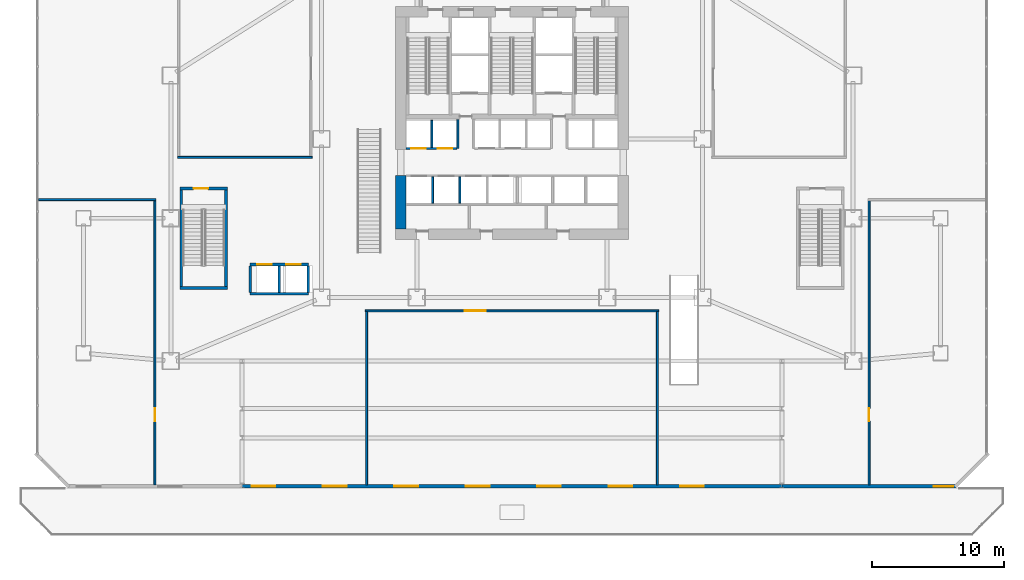
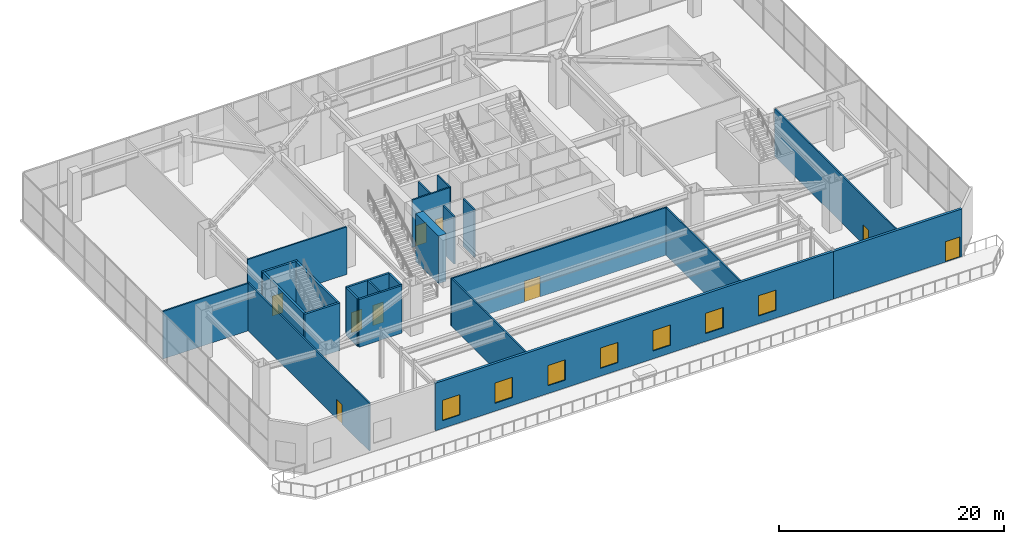
# One storey, part 28 of 37: 24 walls, 9 doors, 7 windows, 16 openings.
"""IFC4 building model written with IfcOpenShell, lengths in metres."""

from ifc_helpers import new_model, si_unit, direction, frame, frame_2d, origin, place, context, subcontext, project, spatial, rectangle, extrude, material, layer, layer_set, type_object, element, fill, save


model = new_model("IFC4")

# Units and contexts
model_context = context("Model", 3, precision=1e-05, world=origin(), true_north=direction((0.0, 1.0)))
body_context = subcontext(model_context, "Body", "Model", "MODEL_VIEW")
ifc_project = project(units=[si_unit("LENGTHUNIT", "METRE"), si_unit("AREAUNIT", "SQUARE_METRE"), si_unit("VOLUMEUNIT", "CUBIC_METRE"), si_unit("PLANEANGLEUNIT", "RADIAN"), si_unit("MASSUNIT", "GRAM", prefix="KILO")], contexts=[model_context])

# Site, building, storey
site_placement = place(None, origin())
site = spatial("IfcSite", under=ifc_project, at=site_placement, CompositionType="ELEMENT")
building_placement = place(site_placement, origin())
building = spatial("IfcBuilding", under=site, at=building_placement, Name="Haolan Belvedere Tower", CompositionType="ELEMENT")
storey_placement = place(building_placement, frame((0.0, 0.0, 10.199951171875)))
storey = spatial("IfcBuildingStorey", under=building, at=storey_placement, Name="L02", CompositionType="ELEMENT", Elevation=10.199951171875)

# Wall
ifc_material_1 = material(Name="Concrete C70/85", Category="concrete")
ifc_layer_1 = layer(ifc_material_1, 0.800048828125, Name="Concrete C70/85")
ifc_layer_set_1 = layer_set([ifc_layer_1], Name="Concrete C70/85")
wall_type_1 = type_object("IfcWallType", Name="WL-CORE-800", PredefinedType="SHEAR", material=ifc_layer_set_1)
wall_1_placement = place(storey_placement, frame((30.0, 26.800048828125, 0.0), z_axis=(0.0, 0.0, 1.0), x_axis=(0.0, 1.0, 0.0)))
element("IfcWall", 1, at=wall_1_placement, inside=storey, type_object=wall_type_1, Name="L02 central core shear wall WS", PredefinedType="SHEAR", context=body_context, shape_type="SweptSolid", body=[
    extrude(rectangle(XDim=4.050048828125, YDim=0.800048828125, at=frame_2d((2.02490234375, 0.0))), origin(), (0.0, 0.0, 1.0), 5.16015625),
])

# Wall, openings, windows
ifc_material_2 = material(Name="Precast concrete C40/50", Category="concrete")
ifc_layer_2 = layer(ifc_material_2, 0.260009765625, Name="Precast concrete C40/50")
ifc_layer_set_2 = layer_set([ifc_layer_2], Name="Precast concrete C40/50")
wall_type_2 = type_object("IfcWallType", Name="WL-EXT-260", PredefinedType="SOLIDWALL", material=ifc_layer_set_2)
wall_2_placement = place(storey_placement, frame((18.00390625, 7.330078125, 0.0), z_axis=(0.0, 0.0, 1.0), x_axis=(1.0, 0.0, 0.0)))
wall_2 = element("IfcWall", 2, at=wall_2_placement, inside=storey, type_object=wall_type_2, Name="L02 pale-metal exterior spandrel wall 6.2", PredefinedType="SOLIDWALL", context=body_context, shape_type="SweptSolid", body=[
    extrude(rectangle(XDim=40.7919921875, YDim=0.260009765625, at=frame_2d((20.39599609375, 0.0))), origin(), (0.0, 0.0, 1.0), 5.16015625),
])
opening_1_placement = place(wall_2_placement, frame((0.699951171875, 0.0, 0.85009765625)))
opening_1 = element("IfcOpeningElement", 3, at=opening_1_placement, cuts=wall_2, Name="Opening W-05", PredefinedType="OPENING", context=body_context, shape_type="SweptSolid", body=[
    extrude(rectangle(XDim=1.800048828125, YDim=2.199951171875, at=frame_2d((0.89990234375, 1.10009765625))), frame((0.0, 0.139892578125, 0.0), z_axis=(0.0, -1.0, 0.0), x_axis=(1.0, 0.0, 0.0)), (0.0, 0.0, 1.0), 0.280029296875),
])
opening_2_placement = place(wall_2_placement, frame((6.10009765625, 0.0, 0.85009765625)))
opening_2 = element("IfcOpeningElement", 4, at=opening_2_placement, cuts=wall_2, Name="Opening W-05", PredefinedType="OPENING", context=body_context, shape_type="SweptSolid", body=[
    extrude(rectangle(XDim=1.800048828125, YDim=2.199951171875, at=frame_2d((0.89990234375, 1.10009765625))), frame((0.0, 0.139892578125, 0.0), z_axis=(0.0, -1.0, 0.0), x_axis=(1.0, 0.0, 0.0)), (0.0, 0.0, 1.0), 0.280029296875),
])
opening_3_placement = place(wall_2_placement, frame((11.5, 0.0, 0.85009765625)))
opening_3 = element("IfcOpeningElement", 5, at=opening_3_placement, cuts=wall_2, Name="Opening W-05", PredefinedType="OPENING", context=body_context, shape_type="SweptSolid", body=[
    extrude(rectangle(XDim=1.800048828125, YDim=2.199951171875, at=frame_2d((0.89990234375, 1.10009765625))), frame((0.0, 0.139892578125, 0.0), z_axis=(0.0, -1.0, 0.0), x_axis=(1.0, 0.0, 0.0)), (0.0, 0.0, 1.0), 0.280029296875),
])
opening_4_placement = place(wall_2_placement, frame((16.89990234375, 0.0, 0.85009765625)))
opening_4 = element("IfcOpeningElement", 6, at=opening_4_placement, cuts=wall_2, Name="Opening W-05", PredefinedType="OPENING", context=body_context, shape_type="SweptSolid", body=[
    extrude(rectangle(XDim=1.800048828125, YDim=2.199951171875, at=frame_2d((0.89990234375, 1.10009765625))), frame((0.0, 0.139892578125, 0.0), z_axis=(0.0, -1.0, 0.0), x_axis=(1.0, 0.0, 0.0)), (0.0, 0.0, 1.0), 0.280029296875),
])
opening_5_placement = place(wall_2_placement, frame((22.300048828125, 0.0, 0.85009765625)))
opening_5 = element("IfcOpeningElement", 7, at=opening_5_placement, cuts=wall_2, Name="Opening W-05", PredefinedType="OPENING", context=body_context, shape_type="SweptSolid", body=[
    extrude(rectangle(XDim=1.800048828125, YDim=2.199951171875, at=frame_2d((0.89990234375, 1.10009765625))), frame((0.0, 0.139892578125, 0.0), z_axis=(0.0, -1.0, 0.0), x_axis=(1.0, 0.0, 0.0)), (0.0, 0.0, 1.0), 0.280029296875),
])
opening_6_placement = place(wall_2_placement, frame((27.699951171875, 0.0, 0.85009765625)))
opening_6 = element("IfcOpeningElement", 8, at=opening_6_placement, cuts=wall_2, Name="Opening W-05", PredefinedType="OPENING", context=body_context, shape_type="SweptSolid", body=[
    extrude(rectangle(XDim=1.800048828125, YDim=2.199951171875, at=frame_2d((0.89990234375, 1.10009765625))), frame((0.0, 0.139892578125, 0.0), z_axis=(0.0, -1.0, 0.0), x_axis=(1.0, 0.0, 0.0)), (0.0, 0.0, 1.0), 0.280029296875),
])
opening_7_placement = place(wall_2_placement, frame((33.10009765625, 0.0, 0.85009765625)))
opening_7 = element("IfcOpeningElement", 9, at=opening_7_placement, cuts=wall_2, Name="Opening W-05", PredefinedType="OPENING", context=body_context, shape_type="SweptSolid", body=[
    extrude(rectangle(XDim=1.800048828125, YDim=2.199951171875, at=frame_2d((0.89990234375, 1.10009765625))), frame((0.0, 0.139892578125, 0.0), z_axis=(0.0, -1.0, 0.0), x_axis=(1.0, 0.0, 0.0)), (0.0, 0.0, 1.0), 0.280029296875),
])
ifc_material_3 = material(Name="Anodised aluminium 6063-T6 and Low-E glass", Category="aluminium")
window_type = type_object("IfcWindowType", Name="WN-POD-210", PartitioningType="SINGLE_PANEL", PredefinedType="WINDOW", material=ifc_material_3)
window_1_placement = place(opening_1_placement, origin())
window_1 = element("IfcWindow", 10, at=window_1_placement, inside=storey, type_object=window_type, Name="L02 Art Deco chevron window 1", OverallHeight=2.199951171875, OverallWidth=1.800048828125, PartitioningType="SINGLE_PANEL", PredefinedType="WINDOW", context=body_context, shape_type="SweptSolid", body=[
    extrude(rectangle(XDim=1.800048828125, YDim=2.199951171875, at=frame_2d((0.89990234375, 1.10009765625))), frame((0.0, 0.030029296875, 0.0), z_axis=(0.0, -1.0, 0.0), x_axis=(1.0, 0.0, 0.0)), (0.0, 0.0, 1.0), 0.06005859375),
])
fill(opening_1, window_1)
window_2_placement = place(opening_2_placement, origin())
window_2 = element("IfcWindow", 11, at=window_2_placement, inside=storey, type_object=window_type, Name="L02 Art Deco chevron window 2", OverallHeight=2.199951171875, OverallWidth=1.800048828125, PartitioningType="SINGLE_PANEL", PredefinedType="WINDOW", context=body_context, shape_type="SweptSolid", body=[
    extrude(rectangle(XDim=1.800048828125, YDim=2.199951171875, at=frame_2d((0.89990234375, 1.10009765625))), frame((0.0, 0.030029296875, 0.0), z_axis=(0.0, -1.0, 0.0), x_axis=(1.0, 0.0, 0.0)), (0.0, 0.0, 1.0), 0.06005859375),
])
fill(opening_2, window_2)
window_3_placement = place(opening_3_placement, origin())
window_3 = element("IfcWindow", 12, at=window_3_placement, inside=storey, type_object=window_type, Name="L02 Art Deco chevron window 3", OverallHeight=2.199951171875, OverallWidth=1.800048828125, PartitioningType="SINGLE_PANEL", PredefinedType="WINDOW", context=body_context, shape_type="SweptSolid", body=[
    extrude(rectangle(XDim=1.800048828125, YDim=2.199951171875, at=frame_2d((0.89990234375, 1.10009765625))), frame((0.0, 0.030029296875, 0.0), z_axis=(0.0, -1.0, 0.0), x_axis=(1.0, 0.0, 0.0)), (0.0, 0.0, 1.0), 0.06005859375),
])
fill(opening_3, window_3)
window_4_placement = place(opening_4_placement, origin())
window_4 = element("IfcWindow", 13, at=window_4_placement, inside=storey, type_object=window_type, Name="L02 Art Deco chevron window 4", OverallHeight=2.199951171875, OverallWidth=1.800048828125, PartitioningType="SINGLE_PANEL", PredefinedType="WINDOW", context=body_context, shape_type="SweptSolid", body=[
    extrude(rectangle(XDim=1.800048828125, YDim=2.199951171875, at=frame_2d((0.89990234375, 1.10009765625))), frame((0.0, 0.030029296875, 0.0), z_axis=(0.0, -1.0, 0.0), x_axis=(1.0, 0.0, 0.0)), (0.0, 0.0, 1.0), 0.06005859375),
])
fill(opening_4, window_4)
window_5_placement = place(opening_5_placement, origin())
window_5 = element("IfcWindow", 14, at=window_5_placement, inside=storey, type_object=window_type, Name="L02 Art Deco chevron window 5", OverallHeight=2.199951171875, OverallWidth=1.800048828125, PartitioningType="SINGLE_PANEL", PredefinedType="WINDOW", context=body_context, shape_type="SweptSolid", body=[
    extrude(rectangle(XDim=1.800048828125, YDim=2.199951171875, at=frame_2d((0.89990234375, 1.10009765625))), frame((0.0, 0.030029296875, 0.0), z_axis=(0.0, -1.0, 0.0), x_axis=(1.0, 0.0, 0.0)), (0.0, 0.0, 1.0), 0.06005859375),
])
fill(opening_5, window_5)
window_6_placement = place(opening_6_placement, origin())
window_6 = element("IfcWindow", 15, at=window_6_placement, inside=storey, type_object=window_type, Name="L02 Art Deco chevron window 6", OverallHeight=2.199951171875, OverallWidth=1.800048828125, PartitioningType="SINGLE_PANEL", PredefinedType="WINDOW", context=body_context, shape_type="SweptSolid", body=[
    extrude(rectangle(XDim=1.800048828125, YDim=2.199951171875, at=frame_2d((0.89990234375, 1.10009765625))), frame((0.0, 0.030029296875, 0.0), z_axis=(0.0, -1.0, 0.0), x_axis=(1.0, 0.0, 0.0)), (0.0, 0.0, 1.0), 0.06005859375),
])
fill(opening_6, window_6)
window_7_placement = place(opening_7_placement, origin())
window_7 = element("IfcWindow", 16, at=window_7_placement, inside=storey, type_object=window_type, Name="L02 Art Deco chevron window 7", OverallHeight=2.199951171875, OverallWidth=1.800048828125, PartitioningType="SINGLE_PANEL", PredefinedType="WINDOW", context=body_context, shape_type="SweptSolid", body=[
    extrude(rectangle(XDim=1.800048828125, YDim=2.199951171875, at=frame_2d((0.89990234375, 1.10009765625))), frame((0.0, 0.030029296875, 0.0), z_axis=(0.0, -1.0, 0.0), x_axis=(1.0, 0.0, 0.0)), (0.0, 0.0, 1.0), 0.06005859375),
])
fill(opening_7, window_7)

# Wall, opening, door
wall_3_placement = place(storey_placement, frame((58.803955078125, 7.330078125, 0.0), z_axis=(0.0, 0.0, 1.0), x_axis=(1.0, 0.0, 0.0)))
wall_3 = element("IfcWall", 17, at=wall_3_placement, inside=storey, type_object=wall_type_2, Name="L02 pale-metal exterior spandrel wall 6.3", PredefinedType="SOLIDWALL", context=body_context, shape_type="SweptSolid", body=[
    extrude(rectangle(XDim=13.197265625, YDim=0.260009765625, at=frame_2d((6.5986328125, 0.0))), origin(), (0.0, 0.0, 1.0), 5.16015625),
])
opening_8_placement = place(wall_3_placement, frame((12.977294921875, 0.0, 0.0), z_axis=(0.0, 0.0, 1.0), x_axis=(-1.0, 0.0, 0.0)))
opening_8 = element("IfcOpeningElement", 18, at=opening_8_placement, cuts=wall_3, Name="Opening TD-01", PredefinedType="OPENING", context=body_context, shape_type="SweptSolid", body=[
    extrude(rectangle(XDim=1.5, YDim=2.199951171875, at=frame_2d((0.75, 1.10009765625))), frame((0.0, 0.139892578125, 0.0), z_axis=(0.0, -1.0, 0.0), x_axis=(1.0, 0.0, 0.0)), (0.0, 0.0, 1.0), 0.280029296875),
])
ifc_material_4 = material(Name="Thermally broken pale-metal aluminium and Low-E glass", Category="aluminium")
door_type_1 = type_object("IfcDoorType", Name="DR-TER-1500", OperationType="DOUBLE_DOOR_SINGLE_SWING", PredefinedType="DOOR", material=ifc_material_4)
door_1_placement = place(opening_8_placement, origin())
door_1 = element("IfcDoor", 19, at=door_1_placement, inside=storey, type_object=door_type_1, Name="L02 garden terrace access door 1", OperationType="DOUBLE_DOOR_SINGLE_SWING", OverallHeight=2.199951171875, OverallWidth=1.5, PredefinedType="DOOR", context=body_context, shape_type="SweptSolid", body=[
    extrude(rectangle(XDim=1.5, YDim=2.199951171875, at=frame_2d((0.75, 1.10009765625))), frame((0.0, 0.02490234375, 0.0), z_axis=(0.0, -1.0, 0.0), x_axis=(1.0, 0.0, 0.0)), (0.0, 0.0, 1.0), 0.050048828125),
])
fill(opening_8, door_1)

ifc_material_5 = material(Name="Double gypsum acoustic stud partition", Category="masonry")
ifc_layer_3 = layer(ifc_material_5, 0.14990234375, Name="Double gypsum acoustic stud partition")
ifc_layer_set_3 = layer_set([ifc_layer_3], Name="Double gypsum acoustic stud partition")
wall_type_3 = type_object("IfcWallType", Name="WL-PART-150", PredefinedType="PARTITIONING", material=ifc_layer_set_3)
wall_4_placement = place(storey_placement, frame((27.320068359375, 20.60009765625, 0.0), z_axis=(0.0, 0.0, 1.0), x_axis=(1.0, 0.0, 0.0)))
wall_4 = element("IfcWall", 20, at=wall_4_placement, inside=storey, type_object=wall_type_3, Name="L02 interior partition IW-L02-PFG-N", PredefinedType="PARTITIONING", context=body_context, shape_type="SweptSolid", body=[
    extrude(rectangle(XDim=22.159912109375, YDim=0.14990234375, at=frame_2d((11.080078125, 0.0))), origin(), (0.0, 0.0, 1.0), 5.16015625),
])
opening_9_placement = place(wall_4_placement, frame((9.10009765625, 0.0, 0.0), z_axis=(0.0, 0.0, 1.0), x_axis=(-1.0, 0.0, 0.0)))
opening_9 = element("IfcOpeningElement", 21, at=opening_9_placement, cuts=wall_4, Name="Opening ID-06", PredefinedType="OPENING", context=body_context, shape_type="SweptSolid", body=[
    extrude(rectangle(XDim=1.60009765625, YDim=2.25, at=frame_2d((0.800048828125, 1.125))), frame((0.0, 0.0849609375, 0.0), z_axis=(0.0, -1.0, 0.0), x_axis=(1.0, 0.0, 0.0)), (0.0, 0.0, 1.0), 0.169921875),
])
ifc_material_6 = material(Name="Anodised bronze-champagne aluminium and acoustic glass", Category="aluminium")
door_type_2 = type_object("IfcDoorType", Name="DR-DBL-1600", OperationType="DOUBLE_DOOR_SINGLE_SWING", PredefinedType="DOOR", material=ifc_material_6)
door_2_placement = place(opening_9_placement, origin())
door_2 = element("IfcDoor", 22, at=door_2_placement, inside=storey, type_object=door_type_2, Name="L02 door ID-L02-PFG", OperationType="DOUBLE_DOOR_SINGLE_SWING", OverallHeight=2.25, OverallWidth=1.60009765625, PredefinedType="DOOR", context=body_context, shape_type="SweptSolid", body=[
    extrude(rectangle(XDim=1.60009765625, YDim=2.25, at=frame_2d((0.800048828125, 1.125))), frame((0.0, 0.02490234375, 0.0), z_axis=(0.0, -1.0, 0.0), x_axis=(1.0, 0.0, 0.0)), (0.0, 0.0, 1.0), 0.050048828125),
])
fill(opening_9, door_2)

# Walls
for number, where, z_axis, x_axis, name in (
    (23, (27.39990234375, 7.445068359375, 0.0), (0.0, 0.0, 1.0), (0.0, 1.0, 0.0), "L02 interior partition IW-L02-PFG-W"),
    (24, (49.39990234375, 7.445068359375, 0.0), (0.0, 0.0, 1.0), (0.0, 1.0, 0.0), "L02 interior partition IW-L02-PFG-E"),
):
    element("IfcWall", number, at=place(storey_placement, frame(where, z_axis=z_axis, x_axis=x_axis)), inside=storey, type_object=wall_type_3, Name=name, PredefinedType="PARTITIONING", context=body_context, shape_type="SweptSolid", body=[
        extrude(rectangle(XDim=13.094970703125, YDim=0.14990234375, at=frame_2d((6.54736328125, 0.0))), origin(), (0.0, 0.0, 1.0), 5.16015625),
    ])
wall_5_placement = place(storey_placement, frame((13.1201171875, 32.199951171875, 0.0), z_axis=(0.0, 0.0, 1.0), x_axis=(1.0, 0.0, 0.0)))
element("IfcWall", 25, at=wall_5_placement, inside=storey, type_object=wall_type_3, Name="L02 interior partition IW-L02-GBW-S", PredefinedType="PARTITIONING", context=body_context, shape_type="SweptSolid", body=[
    extrude(rectangle(XDim=10.159912109375, YDim=0.14990234375, at=frame_2d((5.080078125, 0.0))), origin(), (0.0, 0.0, 1.0), 5.16015625),
])
wall_6_placement = place(storey_placement, frame((2.612060546875, 29.0, 0.0), z_axis=(0.0, 0.0, 1.0), x_axis=(1.0, 0.0, 0.0)))
element("IfcWall", 26, at=wall_6_placement, inside=storey, type_object=wall_type_3, Name="L02 interior partition IW-L02-BKIT-N", PredefinedType="PARTITIONING", context=body_context, shape_type="SweptSolid", body=[
    extrude(rectangle(XDim=8.867919921875, YDim=0.14990234375, at=frame_2d((4.43408203125, 0.0))), origin(), (0.0, 0.0, 1.0), 5.16015625),
])

# Wall, opening, door
wall_7_placement = place(storey_placement, frame((11.39990234375, 7.445068359375, 0.0), z_axis=(0.0, 0.0, 1.0), x_axis=(0.0, 1.0, 0.0)))
wall_7 = element("IfcWall", 27, at=wall_7_placement, inside=storey, type_object=wall_type_3, Name="L02 interior partition IW-L02-BKIT-E", PredefinedType="PARTITIONING", context=body_context, shape_type="SweptSolid", body=[
    extrude(rectangle(XDim=21.494873046875, YDim=0.14990234375, at=frame_2d((10.74755859375, 0.0))), origin(), (0.0, 0.0, 1.0), 5.16015625),
])
opening_10_placement = place(wall_7_placement, frame((5.77490234375, 0.0, 0.0), z_axis=(0.0, 0.0, 1.0), x_axis=(-1.0, 0.0, 0.0)))
opening_10 = element("IfcOpeningElement", 28, at=opening_10_placement, cuts=wall_7, Name="Opening ID-03", PredefinedType="OPENING", context=body_context, shape_type="SweptSolid", body=[
    extrude(rectangle(XDim=0.949951171875, YDim=2.1201171875, at=frame_2d((0.47509765625, 1.06005859375))), frame((0.0, 0.0849609375, 0.0), z_axis=(0.0, -1.0, 0.0), x_axis=(1.0, 0.0, 0.0)), (0.0, 0.0, 1.0), 0.169921875),
])
ifc_material_7 = material(Name="Painted solid-core timber", Category="wood")
door_type_3 = type_object("IfcDoorType", Name="DR-INT-950", OperationType="NOTDEFINED", PredefinedType="DOOR", material=ifc_material_7)
door_3_placement = place(opening_10_placement, origin())
door_3 = element("IfcDoor", 29, at=door_3_placement, inside=storey, type_object=door_type_3, Name="L02 door ID-L02-BKIT", OperationType="SINGLE_SWING_LEFT", OverallHeight=2.1201171875, OverallWidth=0.949951171875, PredefinedType="DOOR", context=body_context, shape_type="SweptSolid", body=[
    extrude(rectangle(XDim=0.949951171875, YDim=2.1201171875, at=frame_2d((0.47509765625, 1.06005859375))), frame((0.0, 0.02490234375, 0.0), z_axis=(0.0, -1.0, 0.0), x_axis=(1.0, 0.0, 0.0)), (0.0, 0.0, 1.0), 0.050048828125),
])
fill(opening_10, door_3)

wall_8_placement = place(storey_placement, frame((65.39990234375, 7.445068359375, 0.0), z_axis=(0.0, 0.0, 1.0), x_axis=(0.0, 1.0, 0.0)))
wall_8 = element("IfcWall", 30, at=wall_8_placement, inside=storey, type_object=wall_type_3, Name="L02 interior partition IW-L02-VIP-W", PredefinedType="PARTITIONING", context=body_context, shape_type="SweptSolid", body=[
    extrude(rectangle(XDim=21.494873046875, YDim=0.14990234375, at=frame_2d((10.74755859375, 0.0))), origin(), (0.0, 0.0, 1.0), 5.16015625),
])
opening_11_placement = place(wall_8_placement, frame((4.824951171875, 0.0, 0.0)))
opening_11 = element("IfcOpeningElement", 31, at=opening_11_placement, cuts=wall_8, Name="Opening ID-03", PredefinedType="OPENING", context=body_context, shape_type="SweptSolid", body=[
    extrude(rectangle(XDim=0.949951171875, YDim=2.1201171875, at=frame_2d((0.47509765625, 1.06005859375))), frame((0.0, 0.0849609375, 0.0), z_axis=(0.0, -1.0, 0.0), x_axis=(1.0, 0.0, 0.0)), (0.0, 0.0, 1.0), 0.169921875),
])
door_4_placement = place(opening_11_placement, origin())
door_4 = element("IfcDoor", 32, at=door_4_placement, inside=storey, type_object=door_type_3, Name="L02 door ID-L02-VIP", OperationType="SINGLE_SWING_RIGHT", OverallHeight=2.1201171875, OverallWidth=0.949951171875, PredefinedType="DOOR", context=body_context, shape_type="SweptSolid", body=[
    extrude(rectangle(XDim=0.949951171875, YDim=2.1201171875, at=frame_2d((0.47509765625, 1.06005859375))), frame((0.0, 0.02490234375, 0.0), z_axis=(0.0, -1.0, 0.0), x_axis=(1.0, 0.0, 0.0)), (0.0, 0.0, 1.0), 0.050048828125),
])
fill(opening_11, door_4)

# Wall
ifc_material_8 = material(Name="Gypsum fire shaftwall assembly", Category="masonry")
ifc_layer_4 = layer(ifc_material_8, 0.1650390625, Name="Gypsum fire shaftwall assembly")
ifc_layer_set_4 = layer_set([ifc_layer_4], Name="Gypsum fire shaftwall assembly")
wall_type_4 = type_object("IfcWallType", Name="WL-SHAFT-160", PredefinedType="SOLIDWALL", material=ifc_layer_set_4)
wall_9_placement = place(storey_placement, frame((34.31005859375, 32.8798828125, 0.0), z_axis=(0.0, 0.0, 1.0), x_axis=(0.0, 1.0, 0.0)))
element("IfcWall", 33, at=wall_9_placement, inside=storey, type_object=wall_type_4, Name="L02 interior partition IW-L02-SVP-W-SV1", PredefinedType="SOLIDWALL", context=body_context, shape_type="SweptSolid", body=[
    extrude(rectangle(XDim=2.170166015625, YDim=0.14990234375, at=frame_2d((1.0849609375, 0.0))), origin(), (0.0, 0.0, 1.0), 5.16015625),
])

# Wall, openings, doors
wall_10_placement = place(storey_placement, frame((30.39990234375, 32.8798828125, 0.0), z_axis=(0.0, 0.0, 1.0), x_axis=(1.0, 0.0, 0.0)))
wall_10 = element("IfcWall", 34, at=wall_10_placement, inside=storey, type_object=wall_type_4, Name="L02 interior partition IW-L02-ROW-PN1", PredefinedType="SOLIDWALL", context=body_context, shape_type="SweptSolid", body=[
    extrude(rectangle(XDim=3.85009765625, YDim=0.159912109375, at=frame_2d((1.925048828125, 0.0))), origin(), (0.0, 0.0, 1.0), 5.16015625),
])
opening_12_placement = place(wall_10_placement, frame((1.47998046875, 0.0, 0.0), z_axis=(0.0, 0.0, 1.0), x_axis=(-1.0, 0.0, 0.0)))
opening_12 = element("IfcOpeningElement", 35, at=opening_12_placement, cuts=wall_10, Name="Opening LD-01", PredefinedType="OPENING", context=body_context, shape_type="SweptSolid", body=[
    extrude(rectangle(XDim=1.10009765625, YDim=2.199951171875, at=frame_2d((0.550048828125, 1.10009765625))), frame((0.0, 0.08984375, 0.0), z_axis=(0.0, -1.0, 0.0), x_axis=(1.0, 0.0, 0.0)), (0.0, 0.0, 1.0), 0.179931640625),
])
opening_13_placement = place(wall_10_placement, frame((3.47021484375, 0.0, 0.0), z_axis=(0.0, 0.0, 1.0), x_axis=(-1.0, 0.0, 0.0)))
opening_13 = element("IfcOpeningElement", 36, at=opening_13_placement, cuts=wall_10, Name="Opening LD-01", PredefinedType="OPENING", context=body_context, shape_type="SweptSolid", body=[
    extrude(rectangle(XDim=1.10009765625, YDim=2.199951171875, at=frame_2d((0.550048828125, 1.10009765625))), frame((0.0, 0.08984375, 0.0), z_axis=(0.0, -1.0, 0.0), x_axis=(1.0, 0.0, 0.0)), (0.0, 0.0, 1.0), 0.179931640625),
])
ifc_material_9 = material(Name="Brushed champagne stainless steel 316L", Category="steel")
door_type_4 = type_object("IfcDoorType", Name="DR-LIFT-1100", OperationType="SLIDING_TO_LEFT", PredefinedType="DOOR", material=ifc_material_9)
door_5_placement = place(opening_12_placement, origin())
door_5 = element("IfcDoor", 37, at=door_5_placement, inside=storey, type_object=door_type_4, Name="L02 door ID-L02-LD-PL1", OperationType="SLIDING_TO_LEFT", OverallHeight=2.199951171875, OverallWidth=1.10009765625, PredefinedType="DOOR", context=body_context, shape_type="SweptSolid", body=[
    extrude(rectangle(XDim=1.10009765625, YDim=2.199951171875, at=frame_2d((0.550048828125, 1.10009765625))), frame((0.0, 0.02490234375, 0.0), z_axis=(0.0, -1.0, 0.0), x_axis=(1.0, 0.0, 0.0)), (0.0, 0.0, 1.0), 0.050048828125),
])
fill(opening_12, door_5)
door_6_placement = place(opening_13_placement, origin())
door_6 = element("IfcDoor", 38, at=door_6_placement, inside=storey, type_object=door_type_4, Name="L02 door ID-L02-LD-PL2", OperationType="SLIDING_TO_LEFT", OverallHeight=2.199951171875, OverallWidth=1.10009765625, PredefinedType="DOOR", context=body_context, shape_type="SweptSolid", body=[
    extrude(rectangle(XDim=1.10009765625, YDim=2.199951171875, at=frame_2d((0.550048828125, 1.10009765625))), frame((0.0, 0.02490234375, 0.0), z_axis=(0.0, -1.0, 0.0), x_axis=(1.0, 0.0, 0.0)), (0.0, 0.0, 1.0), 0.050048828125),
])
fill(opening_13, door_6)

# Walls
wall_11_placement = place(storey_placement, frame((32.340087890625, 32.949951171875, 0.0), z_axis=(0.0, 0.0, 1.0), x_axis=(0.0, 1.0, 0.0)))
element("IfcWall", 39, at=wall_11_placement, inside=storey, type_object=wall_type_4, Name="L02 interior partition IW-L02-DIV-PL1", PredefinedType="SOLIDWALL", context=body_context, shape_type="SweptSolid", body=[
    extrude(rectangle(XDim=2.050048828125, YDim=0.14990234375, at=frame_2d((1.02490234375, 0.0))), origin(), (0.0, 0.0, 1.0), 5.16015625),
])
for number, where, z_axis, x_axis, name in (
    (40, (32.39990234375, 28.735107421875, 0.0), (0.0, 0.0, 1.0), (0.0, 1.0, 0.0), "L02 interior partition IW-L02-DIV-PM1"),
    (41, (34.4599609375, 28.735107421875, 0.0), (0.0, 0.0, 1.0), (0.0, 1.0, 0.0), "L02 interior partition IW-L02-DIV-PM2"),
):
    element("IfcWall", number, at=place(storey_placement, frame(where, z_axis=z_axis, x_axis=x_axis)), inside=storey, type_object=wall_type_4, Name=name, PredefinedType="SOLIDWALL", context=body_context, shape_type="SweptSolid", body=[
        extrude(rectangle(XDim=1.98486328125, YDim=0.14990234375, at=frame_2d((0.992431640625, 0.0))), origin(), (0.0, 0.0, 1.0), 5.16015625),
    ])
wall_12_placement = place(storey_placement, frame((20.800048828125, 22.0, 0.0), z_axis=(0.0, 0.0, 1.0), x_axis=(0.0, 1.0, 0.0)))
element("IfcWall", 42, at=wall_12_placement, inside=storey, type_object=wall_type_4, Name="L02 interior partition IW-L02-PB-M", PredefinedType="SOLIDWALL", context=body_context, shape_type="SweptSolid", body=[
    extrude(rectangle(XDim=2.0, YDim=0.159912109375, at=frame_2d((1.0, 0.0))), origin(), (0.0, 0.0, 1.0), 5.16015625),
])

# Wall, openings, doors
ifc_layer_5 = layer(ifc_material_2, 0.205078125, Name="Precast concrete C40/50")
ifc_layer_set_5 = layer_set([ifc_layer_5], Name="Precast concrete C40/50")
wall_type_5 = type_object("IfcWallType", Name="WL-SHAFT-200", PredefinedType="SOLIDWALL", material=ifc_layer_set_5)
wall_13_placement = place(storey_placement, frame((18.60009765625, 24.10009765625, 0.0), z_axis=(0.0, 0.0, 1.0), x_axis=(1.0, 0.0, 0.0)))
wall_13 = element("IfcWall", 43, at=wall_13_placement, inside=storey, type_object=wall_type_5, Name="L02 interior partition IW-L02-PB-N", PredefinedType="SOLIDWALL", context=body_context, shape_type="SweptSolid", body=[
    extrude(rectangle(XDim=4.39990234375, YDim=0.199951171875, at=frame_2d((2.199951171875, 0.0))), origin(), (0.0, 0.0, 1.0), 5.16015625),
])
opening_14_placement = place(wall_13_placement, frame((0.52001953125, 0.0, 0.0)))
opening_14 = element("IfcOpeningElement", 44, at=opening_14_placement, cuts=wall_13, Name="Opening LD-01", PredefinedType="OPENING", context=body_context, shape_type="SweptSolid", body=[
    extrude(rectangle(XDim=1.10009765625, YDim=2.199951171875, at=frame_2d((0.550048828125, 1.10009765625))), frame((0.0, 0.10986328125, 0.0), z_axis=(0.0, -1.0, 0.0), x_axis=(1.0, 0.0, 0.0)), (0.0, 0.0, 1.0), 0.219970703125),
])
opening_15_placement = place(wall_13_placement, frame((2.719970703125, 0.0, 0.0)))
opening_15 = element("IfcOpeningElement", 45, at=opening_15_placement, cuts=wall_13, Name="Opening LD-01", PredefinedType="OPENING", context=body_context, shape_type="SweptSolid", body=[
    extrude(rectangle(XDim=1.10009765625, YDim=2.199951171875, at=frame_2d((0.550048828125, 1.10009765625))), frame((0.0, 0.10986328125, 0.0), z_axis=(0.0, -1.0, 0.0), x_axis=(1.0, 0.0, 0.0)), (0.0, 0.0, 1.0), 0.219970703125),
])
door_7_placement = place(opening_14_placement, origin())
door_7 = element("IfcDoor", 46, at=door_7_placement, inside=storey, type_object=door_type_4, Name="L02 door ID-L02-LD-PB1", OperationType="SLIDING_TO_LEFT", OverallHeight=2.199951171875, OverallWidth=1.10009765625, PredefinedType="DOOR", context=body_context, shape_type="SweptSolid", body=[
    extrude(rectangle(XDim=1.10009765625, YDim=2.199951171875, at=frame_2d((0.550048828125, 1.10009765625))), frame((0.0, 0.02490234375, 0.0), z_axis=(0.0, -1.0, 0.0), x_axis=(1.0, 0.0, 0.0)), (0.0, 0.0, 1.0), 0.050048828125),
])
fill(opening_14, door_7)
door_8_placement = place(opening_15_placement, origin())
door_8 = element("IfcDoor", 47, at=door_8_placement, inside=storey, type_object=door_type_4, Name="L02 door ID-L02-LD-PB2", OperationType="SLIDING_TO_LEFT", OverallHeight=2.199951171875, OverallWidth=1.10009765625, PredefinedType="DOOR", context=body_context, shape_type="SweptSolid", body=[
    extrude(rectangle(XDim=1.10009765625, YDim=2.199951171875, at=frame_2d((0.550048828125, 1.10009765625))), frame((0.0, 0.02490234375, 0.0), z_axis=(0.0, -1.0, 0.0), x_axis=(1.0, 0.0, 0.0)), (0.0, 0.0, 1.0), 0.050048828125),
])
fill(opening_15, door_8)

# Walls
wall_14_placement = place(storey_placement, frame((18.60009765625, 21.89990234375, 0.0), z_axis=(0.0, 0.0, 1.0), x_axis=(1.0, 0.0, 0.0)))
element("IfcWall", 48, at=wall_14_placement, inside=storey, type_object=wall_type_5, Name="L02 interior partition IW-L02-PB-S", PredefinedType="SOLIDWALL", context=body_context, shape_type="SweptSolid", body=[
    extrude(rectangle(XDim=4.39990234375, YDim=0.199951171875, at=frame_2d((2.199951171875, 0.0))), origin(), (0.0, 0.0, 1.0), 5.16015625),
])
for number, where, z_axis, x_axis, name in (
    (49, (18.60009765625, 22.0, 0.0), (0.0, 0.0, 1.0), (0.0, 1.0, 0.0), "L02 interior partition IW-L02-PB-W"),
    (50, (23.0, 22.0, 0.0), (0.0, 0.0, 1.0), (0.0, 1.0, 0.0), "L02 interior partition IW-L02-PB-E"),
):
    element("IfcWall", number, at=place(storey_placement, frame(where, z_axis=z_axis, x_axis=x_axis)), inside=storey, type_object=wall_type_5, Name=name, PredefinedType="SOLIDWALL", context=body_context, shape_type="SweptSolid", body=[
        extrude(rectangle(XDim=2.0, YDim=0.199951171875, at=frame_2d((1.0, 0.0))), origin(), (0.0, 0.0, 1.0), 5.16015625),
    ])

# Wall, opening, door
ifc_material_10 = material(Name="Concrete C50/60", Category="concrete")
ifc_layer_6 = layer(ifc_material_10, 0.219970703125, Name="Concrete C50/60")
ifc_layer_set_6 = layer_set([ifc_layer_6], Name="Concrete C50/60")
wall_type_6 = type_object("IfcWallType", Name="WL-STAIR-220", PredefinedType="SHEAR", material=ifc_layer_set_6)
wall_15_placement = place(storey_placement, frame((13.280029296875, 29.860107421875, 0.0), z_axis=(0.0, 0.0, 1.0), x_axis=(1.0, 0.0, 0.0)))
wall_15 = element("IfcWall", 51, at=wall_15_placement, inside=storey, type_object=wall_type_6, Name="L02 podium stair ST4 structural shaft wall N", PredefinedType="SHEAR", context=body_context, shape_type="SweptSolid", body=[
    extrude(rectangle(XDim=3.619873046875, YDim=0.219970703125, at=frame_2d((1.81005859375, 0.0))), origin(), (0.0, 0.0, 1.0), 5.16015625),
])
opening_16_placement = place(wall_15_placement, frame((1.050048828125, 0.0, 0.0)))
opening_16 = element("IfcOpeningElement", 52, at=opening_16_placement, cuts=wall_15, Name="Opening FD-03", PredefinedType="OPENING", context=body_context, shape_type="SweptSolid", body=[
    extrude(rectangle(XDim=1.10009765625, YDim=2.14990234375, at=frame_2d((0.550048828125, 1.074951171875))), frame((0.0, 0.119873046875, 0.0), z_axis=(0.0, -1.0, 0.0), x_axis=(1.0, 0.0, 0.0)), (0.0, 0.0, 1.0), 0.239990234375),
])
ifc_material_11 = material(Name="Galvanised fire-rated steel", Category="steel")
door_type_5 = type_object("IfcDoorType", Name="DR-FD90-1100", OperationType="NOTDEFINED", PredefinedType="DOOR", material=ifc_material_11)
door_9_placement = place(opening_16_placement, origin())
door_9 = element("IfcDoor", 53, at=door_9_placement, inside=storey, type_object=door_type_5, Name="L02 door ID-L02-D-ST4", OperationType="SINGLE_SWING_LEFT", OverallHeight=2.14990234375, OverallWidth=1.10009765625, PredefinedType="DOOR", context=body_context, shape_type="SweptSolid", body=[
    extrude(rectangle(XDim=1.10009765625, YDim=2.14990234375, at=frame_2d((0.550048828125, 1.074951171875))), frame((0.0, 0.02490234375, 0.0), z_axis=(0.0, -1.0, 0.0), x_axis=(1.0, 0.0, 0.0)), (0.0, 0.0, 1.0), 0.050048828125),
])
fill(opening_16, door_9)

# Walls
wall_16_placement = place(storey_placement, frame((13.280029296875, 22.340087890625, 0.0), z_axis=(0.0, 0.0, 1.0), x_axis=(1.0, 0.0, 0.0)))
element("IfcWall", 54, at=wall_16_placement, inside=storey, type_object=wall_type_6, Name="L02 podium stair ST4 structural shaft wall S", PredefinedType="SHEAR", context=body_context, shape_type="SweptSolid", body=[
    extrude(rectangle(XDim=3.619873046875, YDim=0.219970703125, at=frame_2d((1.81005859375, 0.0))), origin(), (0.0, 0.0, 1.0), 5.16015625),
])
for number, where, z_axis, x_axis, name in (
    (55, (13.389892578125, 22.449951171875, 0.0), (0.0, 0.0, 1.0), (0.0, 1.0, 0.0), "L02 podium stair ST4 structural shaft wall W"),
    (56, (16.7900390625, 22.449951171875, 0.0), (0.0, 0.0, 1.0), (0.0, 1.0, 0.0), "L02 podium stair ST4 structural shaft wall E"),
):
    element("IfcWall", number, at=place(storey_placement, frame(where, z_axis=z_axis, x_axis=x_axis)), inside=storey, type_object=wall_type_6, Name=name, PredefinedType="SHEAR", context=body_context, shape_type="SweptSolid", body=[
        extrude(rectangle(XDim=7.300048828125, YDim=0.219970703125, at=frame_2d((3.64990234375, 0.0))), origin(), (0.0, 0.0, 1.0), 5.16015625),
    ])

save(model, "model.ifc")
